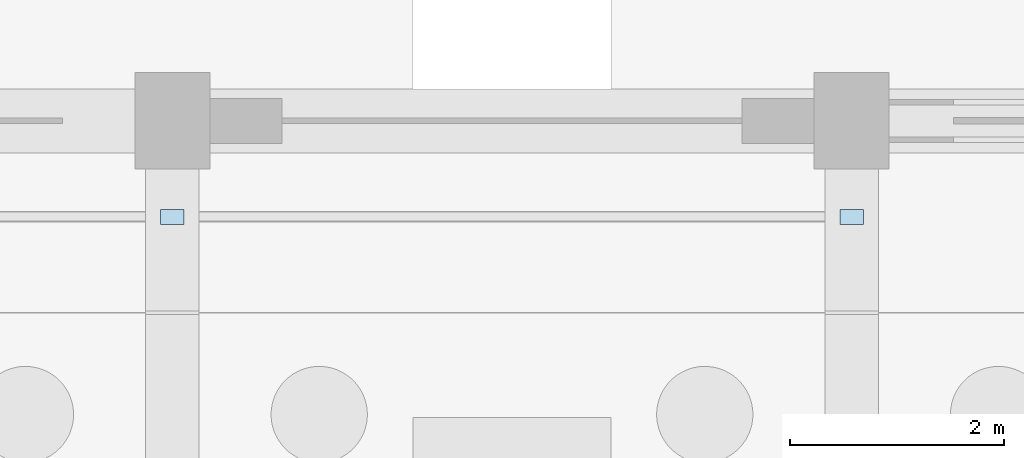
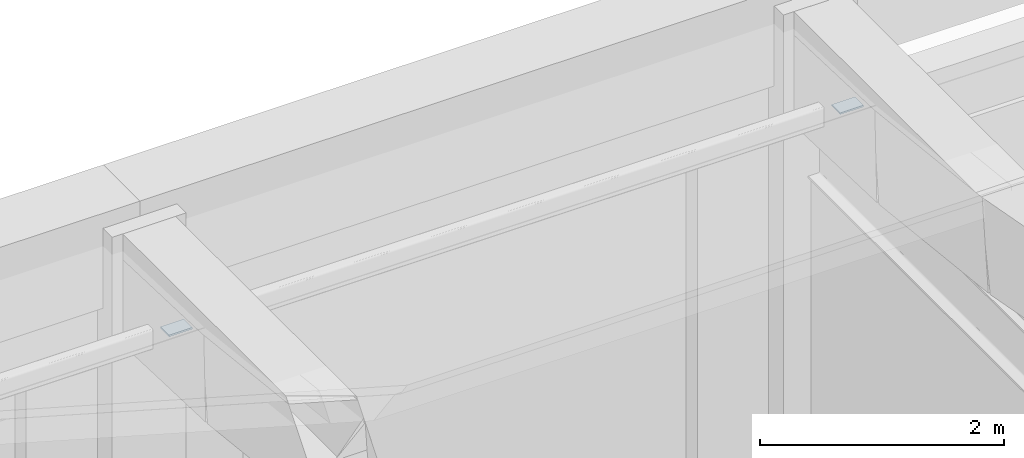
# One storey, part 31 of 60: 2 plates.
"""IFC4 building model written with IfcOpenShell, lengths in metres."""

from ifc_helpers import new_model, si_unit, direction, frame, origin, origin_2d, place, context, subcontext, project, spatial, rectangle, extrude, material, layer, layer_set, type_object, element, save


model = new_model("IFC4")

# Units and contexts
model_context = context("Model", 3, precision=1e-05, world=origin(), true_north=direction((0.0, 1.0)))
body_context = subcontext(model_context, "Body", "Model", "MODEL_VIEW")
ifc_project = project(units=[si_unit("LENGTHUNIT", "METRE"), si_unit("AREAUNIT", "SQUARE_METRE"), si_unit("VOLUMEUNIT", "CUBIC_METRE"), si_unit("PLANEANGLEUNIT", "RADIAN"), si_unit("MASSUNIT", "GRAM", prefix="KILO")], contexts=[model_context])

# Site, building, storey
site_placement = place(None, origin())
site = spatial("IfcSite", under=ifc_project, at=site_placement, CompositionType="ELEMENT")
building_placement = place(site_placement, origin())
building = spatial("IfcBuilding", under=site, at=building_placement, Name="Trellovar Central Fire Station", CompositionType="ELEMENT")
storey_placement = place(building_placement, origin())
storey = spatial("IfcBuildingStorey", under=building, at=storey_placement, Name="L01", CompositionType="ELEMENT", Elevation=0.0)

# Plates
ifc_material = material(Name="Steel ASTM A36", Category="steel")
ifc_layer = layer(ifc_material, 0.01611328125)
ifc_layer_set = layer_set([ifc_layer], Name="Steel ASTM A36")
plate_type = type_object("IfcPlateType", Name="PLT-EP4", PredefinedType="SHEET", material=ifc_layer_set)
for number, where, z_axis, x_axis, name in (
    (1, (66.75, 45.103271484375, 4.884765625), (0.0, 0.0, 1.0), (1.0, 0.0, 0.0), "HSS end-cap plate 264"),
    (2, (73.10009765625, 45.103271484375, 4.884765625), (0.0, 0.0, 1.0), (1.0, 0.0, 0.0), "HSS end-cap plate 273"),
):
    element("IfcPlate", number, at=place(storey_placement, frame(where, z_axis=z_axis, x_axis=x_axis)), inside=storey, type_object=plate_type, Name=name, PredefinedType="SHEET", context=body_context, shape_type="SweptSolid", body=[
        extrude(rectangle(XDim=0.219970703125, YDim=0.139892578125, at=origin_2d()), origin(), (0.0, 0.0, 1.0), 0.01611328125),
    ])

save(model, "model.ifc")
